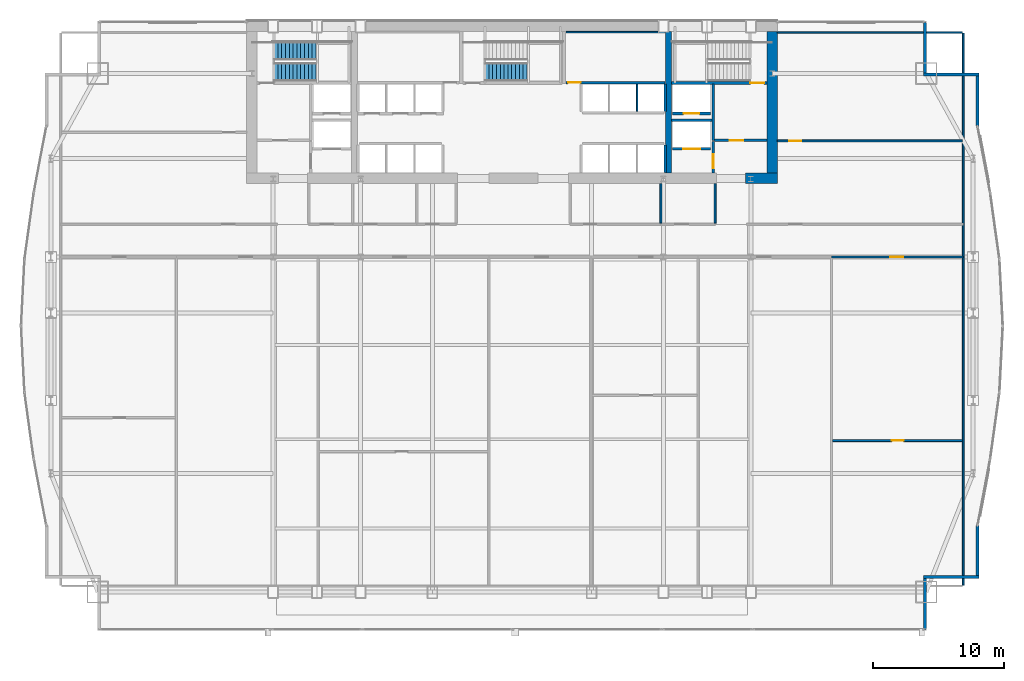
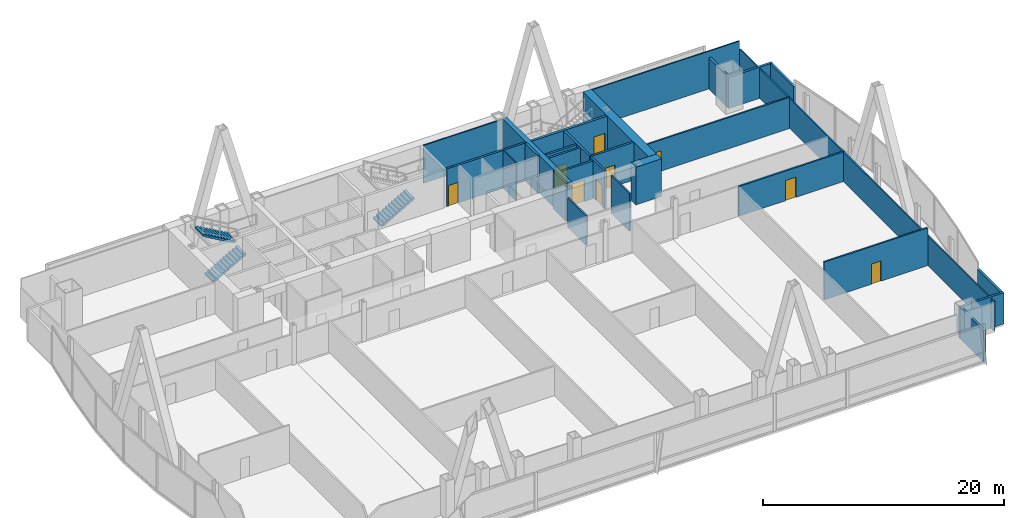
# One storey, part 33 of 37: 28 walls, 9 doors, 3 stair flights, 9 openings, 2 elements without a shape of their own.
"""IFC4 building model written with IfcOpenShell, lengths in metres."""

import ifcopenshell
import ifcopenshell.guid

model = None  # the IFC model being written
_history = None  # IfcOwnerHistory: only IFC2X3 demands one
_inside = {}  # id of a spatial element -> (the spatial element, [elements in it])
_under = {}  # id of a project, library or spatial element -> (it, [spatial elements below it])
_declared = {}  # id of a project -> (the project, [libraries it declares])
_typed = {}  # id of a type object -> (the type object, [elements of that type])
_made_of = {}  # id of a material, layer set ... -> (it, [elements and type objects made of it])


def new_model(schema):
    """Start an empty IFC model of exactly this schema.

    Asked for "IFC4X3", IfcOpenShell would pick the latest addendum, in which some entities
    have other attributes; the version numbers below select the first issue.
    IFC2X3 requires an IfcOwnerHistory on every rooted entity: one is made here for all.
    """
    global model, _history
    if schema == "IFC4X3":
        model = ifcopenshell.file(schema_version=(4, 3, 0, 0))
    else:
        model = ifcopenshell.file(schema=schema)
    _inside.clear()
    _under.clear()
    _declared.clear()
    _typed.clear()
    _made_of.clear()
    _history = None
    if model.schema == "IFC2X3":
        org = make("IfcOrganization", Name="unknown")
        user = make(
            "IfcPersonAndOrganization",
            ThePerson=make("IfcPerson", FamilyName="unknown"),
            TheOrganization=org,
        )
        app = make(
            "IfcApplication",
            ApplicationDeveloper=org,
            Version="unknown",
            ApplicationFullName="unknown",
            ApplicationIdentifier="unknown",
        )
        _history = make(
            "IfcOwnerHistory",
            OwningUser=user,
            OwningApplication=app,
            ChangeAction="ADDED",
            CreationDate=0,
        )
    return model


def make(cls, **values):
    """One entity of the class cls with the attributes given. An attribute that is None is left unset."""
    return model.create_entity(
        cls, **{name: value for name, value in values.items() if value is not None}
    )


def rooted(cls, **values):
    """An entity with a GlobalId (a new one), such as an element, a storey or a relation."""
    return make(cls, GlobalId=ifcopenshell.guid.new(), OwnerHistory=_history, **values)


def si_unit(unit_type, name, prefix=None):
    """IfcSIUnit, for example si_unit("LENGTHUNIT", "METRE", prefix="MILLI")."""
    return make("IfcSIUnit", UnitType=unit_type, Prefix=prefix, Name=name)


def assignment(units):
    """IfcUnitAssignment: the units of a project."""
    return None if units is None else make("IfcUnitAssignment", Units=units)


def point(xyz):
    """IfcCartesianPoint."""
    return None if xyz is None else make("IfcCartesianPoint", Coordinates=xyz)


def direction(xyz):
    """IfcDirection."""
    return None if xyz is None else make("IfcDirection", DirectionRatios=xyz)


def frame(location, z_axis=None, x_axis=None):
    """IfcAxis2Placement3D, a coordinate frame: its origin and axes. An axis left out is left unset."""
    return make(
        "IfcAxis2Placement3D",
        Location=point(location),
        Axis=direction(z_axis),
        RefDirection=direction(x_axis),
    )


def frame_2d(location, x_axis=None):
    """IfcAxis2Placement2D, a coordinate frame in the plane: its origin and x axis."""
    return make(
        "IfcAxis2Placement2D", Location=point(location), RefDirection=direction(x_axis)
    )


def origin():
    """The frame at (0, 0, 0) with its axes left unset."""
    return frame((0.0, 0.0, 0.0))


def place(relative_to, where):
    """IfcLocalPlacement: puts the frame where relative to a parent placement (None: the world)."""
    return make(
        "IfcLocalPlacement", PlacementRelTo=relative_to, RelativePlacement=where
    )


def context(
    kind, dimensions, precision=None, world=None, true_north=None, identifier=None
):
    """IfcGeometricRepresentationContext, for example the 3D "Model" context."""
    return make(
        "IfcGeometricRepresentationContext",
        ContextIdentifier=identifier,
        ContextType=kind,
        CoordinateSpaceDimension=dimensions,
        Precision=precision,
        WorldCoordinateSystem=world,
        TrueNorth=true_north,
    )


def subcontext(parent, identifier, kind, view, scale=None):
    """IfcGeometricRepresentationSubContext, for example "Body" below "Model"."""
    return make(
        "IfcGeometricRepresentationSubContext",
        ContextIdentifier=identifier,
        ContextType=kind,
        ParentContext=parent,
        TargetScale=scale,
        TargetView=view,
    )


def project(units=None, contexts=None):
    """IfcProject with its units and contexts."""
    return rooted(
        "IfcProject",
        Name="project",
        RepresentationContexts=contexts,
        UnitsInContext=assignment(units),
    )


def spatial(cls, under=None, at=None, **own):
    """A site, building, storey or space (cls), placed at a placement, below another one or the project."""
    s = rooted(cls, ObjectPlacement=at, **own)
    if under is not None:
        _under.setdefault(under.id(), (under, []))[1].append(s)
    return s


def polyline(points):
    """IfcPolyline through the points."""
    return make("IfcPolyline", Points=[point(p) for p in points])


def profile(cls, at=None, kind="AREA", **sizes):
    """A parametric profile (cls). Its sizes go by their IFC names, for example OverallWidth=200.0."""
    return make(cls, ProfileType=kind, Position=at, **sizes)


def rectangle(**sizes):
    """IfcRectangleProfileDef."""
    return profile("IfcRectangleProfileDef", **sizes)


def outline(outer, holes=None, kind="AREA"):
    """IfcArbitraryClosedProfileDef: a profile drawn as a closed curve; with holes, ...WithVoids."""
    if holes is None:
        return make("IfcArbitraryClosedProfileDef", ProfileType=kind, OuterCurve=outer)
    return make(
        "IfcArbitraryProfileDefWithVoids",
        ProfileType=kind,
        OuterCurve=outer,
        InnerCurves=holes,
    )


def extrude(swept, where, along, depth):
    """IfcExtrudedAreaSolid: the profile swept, set in the frame where, extruded along a direction by depth."""
    return make(
        "IfcExtrudedAreaSolid",
        SweptArea=swept,
        Position=where,
        ExtrudedDirection=direction(along),
        Depth=depth,
    )


def shape(context_of_items, identifier, shape_type, items):
    """IfcShapeRepresentation: the items that make up one representation, for example the "Body"."""
    return make(
        "IfcShapeRepresentation",
        ContextOfItems=context_of_items,
        RepresentationIdentifier=identifier,
        RepresentationType=shape_type,
        Items=items,
    )


def material(Name=None, Category=None):
    """IfcMaterial."""
    return make("IfcMaterial", Name=Name, Category=Category)


def layer(
    of_material, thickness, ventilated=None, Name=None, Category=None, Priority=None
):
    """IfcMaterialLayer: one layer of a wall or slab, of a material (None: an air gap)."""
    return make(
        "IfcMaterialLayer",
        Material=of_material,
        LayerThickness=thickness,
        IsVentilated=ventilated,
        Name=Name,
        Category=Category,
        Priority=Priority,
    )


def layer_set(layers, Name=None):
    """IfcMaterialLayerSet."""
    return make("IfcMaterialLayerSet", MaterialLayers=layers, LayerSetName=Name)


def made_of(thing, what):
    """Note that an element or type object is made of a material, layer set ...; save() writes the relation."""
    if what is not None:
        _made_of.setdefault(what.id(), (what, []))[1].append(thing)
    return thing


def type_object(cls, material=None, **own):
    """A type object (cls), such as IfcWallType, which elements share."""
    return made_of(rooted(cls, **own), material)


def element(
    cls,
    number,
    at=None,
    inside=None,
    cuts=None,
    type_object=None,
    material=None,
    context=None,
    identifier="Body",
    shape_type=None,
    held_by="IfcProductDefinitionShape",
    body=None,
    shapes=None,
    **own,
):
    """One element of the class cls, such as IfcWall. Its Tag is "e" and its number.

    at: its placement. inside: the storey or other place that contains it. cuts: it is an
    opening in that element (IfcRelVoidsElement). A single representation is given by context,
    identifier, shape_type and body (its items); several are given by shapes. held_by: the class
    of the entity that holds the representations. save() writes the other relations.
    """
    e = rooted(cls, Tag="e%d" % number, ObjectPlacement=at, **own)
    if body is not None:
        shapes = [shape(context, identifier, shape_type, body)]
    if shapes is not None:
        e.Representation = make(held_by, Representations=shapes)
    if inside is not None:
        _inside.setdefault(inside.id(), (inside, []))[1].append(e)
    if cuts is not None:
        rooted(
            "IfcRelVoidsElement", RelatingBuildingElement=cuts, RelatedOpeningElement=e
        )
    if type_object is not None:
        _typed.setdefault(type_object.id(), (type_object, []))[1].append(e)
    return made_of(e, material)


def fill(opening, filler):
    """IfcRelFillsElement: the door or window that sits in an opening."""
    return rooted(
        "IfcRelFillsElement",
        RelatingOpeningElement=opening,
        RelatedBuildingElement=filler,
    )


def aggregate(whole, parts):
    """IfcRelAggregates: a whole, such as a stair, and the parts it consists of."""
    return rooted("IfcRelAggregates", RelatingObject=whole, RelatedObjects=parts)


def save(model, path):
    """Write the relations noted so far, then the file.

    IfcRelAggregates (storeys below a building ...), IfcRelContainedInSpatialStructure (elements
    in a storey), IfcRelDefinesByType, IfcRelAssociatesMaterial and IfcRelDeclares: one each for
    every whole, place, type object, material and project.
    """
    for whole, parts in _under.values():
        aggregate(whole, parts)
    for where, things in _inside.values():
        rooted(
            "IfcRelContainedInSpatialStructure",
            RelatedElements=things,
            RelatingStructure=where,
        )
    for kind, things in _typed.values():
        rooted("IfcRelDefinesByType", RelatedObjects=things, RelatingType=kind)
    for what, things in _made_of.values():
        rooted("IfcRelAssociatesMaterial", RelatedObjects=things, RelatingMaterial=what)
    for by, libraries in _declared.values():
        rooted("IfcRelDeclares", RelatingContext=by, RelatedDefinitions=libraries)
    model.write(path)


model = new_model("IFC4")

# Units and contexts
model_context = context("Model", 3, precision=1e-05, world=origin(), true_north=direction((0.0, 1.0)))
body_context = subcontext(model_context, "Body", "Model", "MODEL_VIEW")
ifc_project = project(units=[si_unit("LENGTHUNIT", "METRE"), si_unit("AREAUNIT", "SQUARE_METRE"), si_unit("VOLUMEUNIT", "CUBIC_METRE"), si_unit("PLANEANGLEUNIT", "RADIAN"), si_unit("MASSUNIT", "GRAM", prefix="KILO")], contexts=[model_context])

# Site, building, storey
site_placement = place(None, origin())
site = spatial("IfcSite", under=ifc_project, at=site_placement, CompositionType="ELEMENT")
building_placement = place(site_placement, origin())
building = spatial("IfcBuilding", under=site, at=building_placement, Name="Khoronbel Lancet Exchange", CompositionType="ELEMENT")
storey_placement = place(building_placement, frame((0.0, 0.0, 61.800048828125)))
storey = spatial("IfcBuildingStorey", under=building, at=storey_placement, Name="L14", CompositionType="ELEMENT", Elevation=61.800048828125)

# Walls
ifc_material_1 = material(Name="Concrete C80/95", Category="concrete")
ifc_layer_1 = layer(ifc_material_1, 0.800048828125, Name="Concrete C80/95")
ifc_layer_set_1 = layer_set([ifc_layer_1], Name="Concrete C80/95")
wall_type_1 = type_object("IfcWallType", Name="WL-CW1", PredefinedType="SHEAR", material=ifc_layer_set_1)
wall_1_placement = place(storey_placement, frame((56.300048828125, 52.89990234375, 0.0), z_axis=(0.0, 0.0, 1.0), x_axis=(0.0, -1.0, 0.0)))
element("IfcWall", 1, at=wall_1_placement, inside=storey, type_object=wall_type_1, Name="Level L14 rear core east shear wall", PredefinedType="SHEAR", context=body_context, shape_type="SweptSolid", body=[
    extrude(rectangle(XDim=10.7998046875, YDim=0.800048828125, at=frame_2d((5.39990234375, 0.0))), origin(), (0.0, 0.0, 1.0), 3.820068359375),
])
wall_2_placement = place(storey_placement, frame((56.699951171875, 41.699951171875, 0.0), z_axis=(0.0, 0.0, 1.0), x_axis=(-1.0, 0.0, 0.0)))
element("IfcWall", 2, at=wall_2_placement, inside=storey, type_object=wall_type_1, Name="Level L14 rear core south shear wall pier P5", PredefinedType="SHEAR", context=body_context, shape_type="SweptSolid", body=[
    extrude(rectangle(XDim=2.449951171875, YDim=0.800048828125, at=frame_2d((1.22509765625, 0.0))), origin(), (0.0, 0.0, 1.0), 3.820068359375),
])
ifc_material_2 = material(Name="Precast concrete C40/50", Category="concrete")
ifc_layer_2 = layer(ifc_material_2, 0.25, Name="Precast concrete C40/50")
ifc_layer_set_2 = layer_set([ifc_layer_2], Name="Precast concrete C40/50")
wall_type_2 = type_object("IfcWallType", Name="WL-EXT250", PredefinedType="SOLIDWALL", material=ifc_layer_set_2)
wall_3_placement = place(storey_placement, frame((67.9599609375, 53.6298828125, 0.0), z_axis=(0.0, 0.0, 1.0), x_axis=(0.0, -1.0, 0.0)))
element("IfcWall", 3, at=wall_3_placement, inside=storey, type_object=wall_type_2, Name="Level L14 notched-corner limestone pier 14", PredefinedType="SOLIDWALL", context=body_context, shape_type="SweptSolid", body=[
    extrude(rectangle(XDim=3.909912109375, YDim=0.219970703125, at=frame_2d((1.955078125, 0.0))), origin(), (0.0, 0.0, 1.0), 3.159912109375),
])
wall_4_placement = place(storey_placement, frame((67.85009765625, 49.610107421875, 0.0), z_axis=(0.0, 0.0, 1.0), x_axis=(1.0, 0.0, 0.0)))
element("IfcWall", 4, at=wall_4_placement, inside=storey, type_object=wall_type_2, Name="Level L14 notched-corner limestone pier 15", PredefinedType="SOLIDWALL", context=body_context, shape_type="SweptSolid", body=[
    extrude(rectangle(XDim=4.219970703125, YDim=0.219970703125, at=frame_2d((2.10986328125, 0.0))), origin(), (0.0, 0.0, 1.0), 3.159912109375),
])
for number, where, z_axis, x_axis, name in (
    (5, (71.9599609375, 49.5, 0.0), (0.0, 0.0, 1.0), (0.0, -1.0, 0.0), "Level L14 notched-corner limestone pier 16"),
    (6, (71.9599609375, 15.228515625, 0.0), (0.0, 0.0, 1.0), (0.0, -1.0, 0.0), "Level L14 notched-corner limestone pier 23"),
):
    element("IfcWall", number, at=place(storey_placement, frame(where, z_axis=z_axis, x_axis=x_axis)), inside=storey, type_object=wall_type_2, Name=name, PredefinedType="SOLIDWALL", context=body_context, shape_type="SweptSolid", body=[
        extrude(rectangle(XDim=3.82861328125, YDim=0.219970703125, at=frame_2d((1.914306640625, 0.0))), origin(), (0.0, 0.0, 1.0), 3.159912109375),
    ])
wall_5_placement = place(storey_placement, frame((72.070068359375, 11.2900390625, 0.0), z_axis=(0.0, 0.0, 1.0), x_axis=(-1.0, 0.0, 0.0)))
element("IfcWall", 7, at=wall_5_placement, inside=storey, type_object=wall_type_2, Name="Level L14 notched-corner limestone pier 24", PredefinedType="SOLIDWALL", context=body_context, shape_type="SweptSolid", body=[
    extrude(rectangle(XDim=4.219970703125, YDim=0.219970703125, at=frame_2d((2.10986328125, 0.0))), origin(), (0.0, 0.0, 1.0), 3.159912109375),
])
wall_6_placement = place(storey_placement, frame((67.9599609375, 11.179931640625, 0.0), z_axis=(0.0, 0.0, 1.0), x_axis=(0.0, -1.0, 0.0)))
element("IfcWall", 8, at=wall_6_placement, inside=storey, type_object=wall_type_2, Name="Level L14 notched-corner limestone pier 25", PredefinedType="SOLIDWALL", context=body_context, shape_type="SweptSolid", body=[
    extrude(rectangle(XDim=3.909912109375, YDim=0.219970703125, at=frame_2d((1.955078125, 0.0))), origin(), (0.0, 0.0, 1.0), 3.159912109375),
])
ifc_material_3 = material(Name="Acoustic Metal-Stud & Mineral-Wool Gypsum Partition 120 mm", Category="gypsum")
ifc_layer_3 = layer(ifc_material_3, 0.1201171875, Name="Acoustic Metal-Stud & Mineral-Wool Gypsum Partition 120 mm")
ifc_layer_set_3 = layer_set([ifc_layer_3], Name="Acoustic Metal-Stud & Mineral-Wool Gypsum Partition 120 mm")
wall_type_3 = type_object("IfcWallType", Name="WL-PRT120", PredefinedType="PARTITIONING", material=ifc_layer_set_3)
wall_7_placement = place(storey_placement, frame((47.800048828125, 38.280029296875, 0.0), z_axis=(0.0, 0.0, 1.0), x_axis=(0.0, 1.0, 0.0)))
element("IfcWall", 9, at=wall_7_placement, inside=storey, type_object=wall_type_3, Name="Level L14 interior partition PW-NP-M", PredefinedType="PARTITIONING", context=body_context, shape_type="SweptSolid", body=[
    extrude(rectangle(XDim=3.02001953125, YDim=0.14990234375, at=frame_2d((1.510009765625, 0.0))), origin(), (0.0, 0.0, 1.0), 3.010009765625),
])
wall_8_placement = place(storey_placement, frame((51.949951171875, 38.280029296875, 0.0), z_axis=(0.0, 0.0, 1.0), x_axis=(0.0, 1.0, 0.0)))
element("IfcWall", 10, at=wall_8_placement, inside=storey, type_object=wall_type_3, Name="Level L14 interior partition PW-NP-1", PredefinedType="PARTITIONING", context=body_context, shape_type="SweptSolid", body=[
    extrude(rectangle(XDim=3.02001953125, YDim=0.14990234375, at=frame_2d((1.510009765625, 0.0))), origin(), (0.0, 0.0, 1.0), 3.820068359375),
])

# Wall, opening, door
wall_9_placement = place(storey_placement, frame((56.699951171875, 44.56005859375, 0.0), z_axis=(0.0, 0.0, 1.0), x_axis=(1.0, 0.0, 0.0)))
wall_9 = element("IfcWall", 11, at=wall_9_placement, inside=storey, type_object=wall_type_3, Name="Level L14 interior partition PW-NE-H", PredefinedType="PARTITIONING", context=body_context, shape_type="SweptSolid", body=[
    extrude(rectangle(XDim=14.10498046875, YDim=0.14990234375, at=frame_2d((7.052490234375, 0.0))), origin(), (0.0, 0.0, 1.0), 3.159912109375),
])
opening_1_placement = place(wall_9_placement, frame((0.89990234375, 0.0, 0.0)))
opening_1 = element("IfcOpeningElement", 12, at=opening_1_placement, cuts=wall_9, Name="Opening D5", PredefinedType="OPENING", context=body_context, shape_type="SweptSolid", body=[
    extrude(rectangle(XDim=0.89990234375, YDim=2.050048828125, at=frame_2d((0.449951171875, 1.02490234375))), frame((0.0, 0.0849609375, 0.0), z_axis=(0.0, -1.0, 0.0), x_axis=(1.0, 0.0, 0.0)), (0.0, 0.0, 1.0), 0.169921875),
])
ifc_material_4 = material(Name="Acoustic Timber Pantry & Support Door", Category="wood")
door_type_1 = type_object("IfcDoorType", Name="DR-D5", OperationType="NOTDEFINED", PredefinedType="DOOR", material=ifc_material_4)
door_1_placement = place(opening_1_placement, origin())
door_1 = element("IfcDoor", 13, at=door_1_placement, inside=storey, type_object=door_type_1, Name="NE north room door L14-1", OperationType="SINGLE_SWING_RIGHT", OverallHeight=2.050048828125, OverallWidth=0.89990234375, PredefinedType="DOOR", context=body_context, shape_type="SweptSolid", body=[
    extrude(rectangle(XDim=0.89990234375, YDim=2.050048828125, at=frame_2d((0.449951171875, 1.02490234375))), frame((0.0, 0.02490234375, 0.0), z_axis=(0.0, -1.0, 0.0), x_axis=(1.0, 0.0, 0.0)), (0.0, 0.0, 1.0), 0.050048828125),
])
fill(opening_1, door_1)

wall_10_placement = place(storey_placement, frame((60.902587890625, 21.691650390625, 0.0), z_axis=(0.0, 0.0, 1.0), x_axis=(1.0, 0.0, 0.0)))
wall_10 = element("IfcWall", 14, at=wall_10_placement, inside=storey, type_object=wall_type_3, Name="Level L14 interior partition PW-Z1S-H7", PredefinedType="PARTITIONING", context=body_context, shape_type="SweptSolid", body=[
    extrude(rectangle(XDim=9.90234375, YDim=0.14990234375, at=frame_2d((4.951171875, 0.0))), origin(), (0.0, 0.0, 1.0), 3.820068359375),
])
opening_2_placement = place(wall_10_placement, frame((4.521240234375, 0.0, 0.0)))
opening_2 = element("IfcOpeningElement", 15, at=opening_2_placement, cuts=wall_10, Name="Opening D5", PredefinedType="OPENING", context=body_context, shape_type="SweptSolid", body=[
    extrude(rectangle(XDim=0.89990234375, YDim=2.050048828125, at=frame_2d((0.449951171875, 1.02490234375))), frame((0.0, 0.0849609375, 0.0), z_axis=(0.0, -1.0, 0.0), x_axis=(1.0, 0.0, 0.0)), (0.0, 0.0, 1.0), 0.169921875),
])
door_2_placement = place(opening_2_placement, origin())
door_2 = element("IfcDoor", 16, at=door_2_placement, inside=storey, type_object=door_type_1, Name="Z1S inner door 7 L14-1", OperationType="SINGLE_SWING_LEFT", OverallHeight=2.050048828125, OverallWidth=0.89990234375, PredefinedType="DOOR", context=body_context, shape_type="SweptSolid", body=[
    extrude(rectangle(XDim=0.89990234375, YDim=2.050048828125, at=frame_2d((0.449951171875, 1.02490234375))), frame((0.0, 0.02490234375, 0.0), z_axis=(0.0, -1.0, 0.0), x_axis=(1.0, 0.0, 0.0)), (0.0, 0.0, 1.0), 0.050048828125),
])
fill(opening_2, door_2)

# Walls
wall_11_placement = place(storey_placement, frame((70.8701171875, 10.6650390625, 0.0), z_axis=(0.0, 0.0, 1.0), x_axis=(0.0, 1.0, 0.0)))
element("IfcWall", 17, at=wall_11_placement, inside=storey, type_object=wall_type_3, Name="Level L14 interior partition PW-LIN-E", PredefinedType="PARTITIONING", context=body_context, shape_type="SweptSolid", body=[
    extrude(rectangle(XDim=42.10986328125, YDim=0.1201171875, at=frame_2d((21.054931640625, 0.0))), origin(), (0.0, 0.0, 1.0), 3.010009765625),
])
wall_12_placement = place(storey_placement, frame((56.699951171875, 52.840087890625, 0.0), z_axis=(0.0, 0.0, 1.0), x_axis=(1.0, 0.0, 0.0)))
element("IfcWall", 18, at=wall_12_placement, inside=storey, type_object=wall_type_3, Name="Level L14 interior partition PW-LIN-NE", PredefinedType="PARTITIONING", context=body_context, shape_type="SweptSolid", body=[
    extrude(rectangle(XDim=14.10498046875, YDim=0.1201171875, at=frame_2d((7.052490234375, 0.0))), origin(), (0.0, 0.0, 1.0), 3.820068359375),
])
ifc_material_5 = material(Name="Fire-Rated Metal-Stud & Mineral-Wool Gypsum Partition 120 mm", Category="gypsum")
ifc_layer_4 = layer(ifc_material_5, 0.1201171875, Name="Fire-Rated Metal-Stud & Mineral-Wool Gypsum Partition 120 mm")
ifc_layer_set_4 = layer_set([ifc_layer_4], Name="Fire-Rated Metal-Stud & Mineral-Wool Gypsum Partition 120 mm")
wall_type_4 = type_object("IfcWallType", Name="WL-PRT120F", PredefinedType="PARTITIONING", material=ifc_layer_set_4)
wall_13_placement = place(storey_placement, frame((46.0, 46.804931640625, 0.0), z_axis=(0.0, 0.0, 1.0), x_axis=(0.0, 1.0, 0.0)))
element("IfcWall", 19, at=wall_13_placement, inside=storey, type_object=wall_type_4, Name="Level L14 interior partition CW-PH-D2", PredefinedType="PARTITIONING", context=body_context, shape_type="SweptSolid", body=[
    extrude(rectangle(XDim=2.090087890625, YDim=0.1201171875, at=frame_2d((1.044921875, 0.0))), origin(), (0.0, 0.0, 1.0), 3.820068359375),
])
wall_14_placement = place(storey_placement, frame((40.580078125, 52.860107421875, 0.0), z_axis=(0.0, 0.0, 1.0), x_axis=(1.0, 0.0, 0.0)))
element("IfcWall", 20, at=wall_14_placement, inside=storey, type_object=wall_type_4, Name="Level L14 interior partition CW-SUP-NE-N", PredefinedType="PARTITIONING", context=body_context, shape_type="SweptSolid", body=[
    extrude(rectangle(XDim=7.559814453125, YDim=0.1201171875, at=frame_2d((3.77978515625, 0.0))), origin(), (0.0, 0.0, 1.0), 3.820068359375),
])

# Wall, opening, door
ifc_material_6 = material(Name="Fire-Rated Twin-Stud Acoustic Gypsum Partition 160 mm", Category="gypsum")
ifc_layer_5 = layer(ifc_material_6, 0.159912109375, Name="Fire-Rated Twin-Stud Acoustic Gypsum Partition 160 mm")
ifc_layer_set_5 = layer_set([ifc_layer_5], Name="Fire-Rated Twin-Stud Acoustic Gypsum Partition 160 mm")
wall_type_5 = type_object("IfcWallType", Name="WL-PRT160C", PredefinedType="PARTITIONING", material=ifc_layer_set_5)
wall_15_placement = place(storey_placement, frame((60.822509765625, 35.699951171875, 0.0), z_axis=(0.0, 0.0, 1.0), x_axis=(1.0, 0.0, 0.0)))
wall_15 = element("IfcWall", 21, at=wall_15_placement, inside=storey, type_object=wall_type_5, Name="Level L14 interior partition PW-Z1S-COR7", PredefinedType="PARTITIONING", context=body_context, shape_type="SweptSolid", body=[
    extrude(rectangle(XDim=10.047607421875, YDim=0.159912109375, at=frame_2d((5.02392578125, 0.0))), origin(), (0.0, 0.0, 1.0), 3.010009765625),
])
opening_3_placement = place(wall_15_placement, frame((4.469970703125, 0.0, 0.0)))
opening_3 = element("IfcOpeningElement", 22, at=opening_3_placement, cuts=wall_15, Name="Opening D2", PredefinedType="OPENING", context=body_context, shape_type="SweptSolid", body=[
    extrude(rectangle(XDim=1.0, YDim=2.050048828125, at=frame_2d((0.5, 1.02490234375))), frame((0.0, 0.08984375, 0.0), z_axis=(0.0, -1.0, 0.0), x_axis=(1.0, 0.0, 0.0)), (0.0, 0.0, 1.0), 0.179931640625),
])
ifc_material_7 = material(Name="Acoustic Veneered Timber & Bronze Frame Door", Category="wood")
door_type_2 = type_object("IfcDoorType", Name="DR-D2", OperationType="NOTDEFINED", PredefinedType="DOOR", material=ifc_material_7)
door_3_placement = place(opening_3_placement, origin())
door_3 = element("IfcDoor", 23, at=door_3_placement, inside=storey, type_object=door_type_2, Name="Z1S bay 7 door L14-1", OperationType="SINGLE_SWING_RIGHT", OverallHeight=2.050048828125, OverallWidth=1.0, PredefinedType="DOOR", context=body_context, shape_type="SweptSolid", body=[
    extrude(rectangle(XDim=1.0, YDim=2.050048828125, at=frame_2d((0.5, 1.02490234375))), frame((0.0, 0.02490234375, 0.0), z_axis=(0.0, -1.0, 0.0), x_axis=(1.0, 0.0, 0.0)), (0.0, 0.0, 1.0), 0.050048828125),
])
fill(opening_3, door_3)

ifc_material_8 = material(Name="Autoclaved Aerated Concrete Blockwork 200 mm", Category="masonry")
ifc_layer_6 = layer(ifc_material_8, 0.199951171875, Name="Autoclaved Aerated Concrete Blockwork 200 mm")
ifc_layer_set_6 = layer_set([ifc_layer_6], Name="Autoclaved Aerated Concrete Blockwork 200 mm")
wall_type_6 = type_object("IfcWallType", Name="WL-PRT200", PredefinedType="PARTITIONING", material=ifc_layer_set_6)
wall_16_placement = place(storey_placement, frame((51.610107421875, 43.949951171875, 0.0), z_axis=(0.0, 0.0, 1.0), x_axis=(-1.0, 0.0, 0.0)))
wall_16 = element("IfcWall", 24, at=wall_16_placement, inside=storey, type_object=wall_type_6, Name="Level L14 elevator hoistway landing front wall SVLE", PredefinedType="PARTITIONING", context=body_context, shape_type="SweptSolid", body=[
    extrude(rectangle(XDim=2.920166015625, YDim=0.199951171875, at=frame_2d((1.4599609375, 0.0))), origin(), (0.0, 0.0, 1.0), 3.820068359375),
])
opening_4_placement = place(wall_16_placement, frame((0.81005859375, 0.0, 0.0)))
opening_4 = element("IfcOpeningElement", 25, at=opening_4_placement, cuts=wall_16, Name="Opening LD-SVL2", PredefinedType="OPENING", context=body_context, shape_type="SweptSolid", body=[
    extrude(rectangle(XDim=1.300048828125, YDim=2.179931640625, at=frame_2d((0.64990234375, 1.08984375))), frame((0.0, 0.10986328125, 0.0), z_axis=(0.0, -1.0, 0.0), x_axis=(1.0, 0.0, 0.0)), (0.0, 0.0, 1.0), 0.219970703125),
])
ifc_material_9 = material(Name="Heavy-Duty Bi-Parting Goods Lift Landing Door", Category="steel")
door_type_3 = type_object("IfcDoorType", Name="DR-LD-SVL", OperationType="NOTDEFINED", PredefinedType="DOOR", material=ifc_material_9)
door_4_placement = place(opening_4_placement, origin())
door_4 = element("IfcDoor", 26, at=door_4_placement, inside=storey, type_object=door_type_3, Name="Elevator landing sliding door LD-SVL2 L14", OperationType="SLIDING_TO_LEFT", OverallHeight=2.179931640625, OverallWidth=1.300048828125, PredefinedType="DOOR", context=body_context, shape_type="SweptSolid", body=[
    extrude(rectangle(XDim=1.300048828125, YDim=2.179931640625, at=frame_2d((0.64990234375, 1.08984375))), frame((0.0, 0.02490234375, 0.0), z_axis=(0.0, -1.0, 0.0), x_axis=(1.0, 0.0, 0.0)), (0.0, 0.0, 1.0), 0.050048828125),
])
fill(opening_4, door_4)

wall_17_placement = place(storey_placement, frame((51.610107421875, 46.64990234375, 0.0), z_axis=(0.0, 0.0, 1.0), x_axis=(-1.0, 0.0, 0.0)))
wall_17 = element("IfcWall", 27, at=wall_17_placement, inside=storey, type_object=wall_type_6, Name="Level L14 elevator hoistway landing front wall FFLE", PredefinedType="PARTITIONING", context=body_context, shape_type="SweptSolid", body=[
    extrude(rectangle(XDim=2.920166015625, YDim=0.199951171875, at=frame_2d((1.4599609375, 0.0))), origin(), (0.0, 0.0, 1.0), 3.820068359375),
])
opening_5_placement = place(wall_17_placement, frame((0.860107421875, 0.0, 0.0)))
opening_5 = element("IfcOpeningElement", 28, at=opening_5_placement, cuts=wall_17, Name="Opening LD-FFL2", PredefinedType="OPENING", context=body_context, shape_type="SweptSolid", body=[
    extrude(rectangle(XDim=1.199951171875, YDim=2.179931640625, at=frame_2d((0.60009765625, 1.08984375))), frame((0.0, 0.10986328125, 0.0), z_axis=(0.0, -1.0, 0.0), x_axis=(1.0, 0.0, 0.0)), (0.0, 0.0, 1.0), 0.219970703125),
])
ifc_material_10 = material(Name="Fire-Rated Stainless Bi-Parting Firefighting Lift Door", Category="steel")
door_type_4 = type_object("IfcDoorType", Name="DR-LD-FFL", OperationType="NOTDEFINED", PredefinedType="DOOR", material=ifc_material_10)
door_5_placement = place(opening_5_placement, origin())
door_5 = element("IfcDoor", 29, at=door_5_placement, inside=storey, type_object=door_type_4, Name="Elevator landing sliding door LD-FFL2 L14", OperationType="SLIDING_TO_LEFT", OverallHeight=2.179931640625, OverallWidth=1.199951171875, PredefinedType="DOOR", context=body_context, shape_type="SweptSolid", body=[
    extrude(rectangle(XDim=1.199951171875, YDim=2.179931640625, at=frame_2d((0.60009765625, 1.08984375))), frame((0.0, 0.02490234375, 0.0), z_axis=(0.0, -1.0, 0.0), x_axis=(1.0, 0.0, 0.0)), (0.0, 0.0, 1.0), 0.050048828125),
])
fill(opening_5, door_5)

# Wall
wall_18_placement = place(storey_placement, frame((51.800048828125, 44.60009765625, 0.0), z_axis=(0.0, 0.0, 1.0), x_axis=(0.0, 1.0, 0.0)))
element("IfcWall", 30, at=wall_18_placement, inside=storey, type_object=wall_type_6, Name="Level L14 interior partition CW-FFLE-W", PredefinedType="PARTITIONING", context=body_context, shape_type="SweptSolid", body=[
    extrude(rectangle(XDim=4.2998046875, YDim=0.199951171875, at=frame_2d((2.14990234375, 0.0))), origin(), (0.0, 0.0, 1.0), 3.820068359375),
])

# Wall, opening, door
wall_19_placement = place(storey_placement, frame((51.89990234375, 44.60009765625, 0.0), z_axis=(0.0, 0.0, 1.0), x_axis=(1.0, 0.0, 0.0)))
wall_19 = element("IfcWall", 31, at=wall_19_placement, inside=storey, type_object=wall_type_6, Name="Level L14 interior partition CW-FFLE-S", PredefinedType="PARTITIONING", context=body_context, shape_type="SweptSolid", body=[
    extrude(rectangle(XDim=4.0, YDim=0.199951171875, at=frame_2d((2.0, 0.0))), origin(), (0.0, 0.0, 1.0), 3.820068359375),
])
opening_6_placement = place(wall_19_placement, frame((1.14990234375, 0.0, 0.0)))
opening_6 = element("IfcOpeningElement", 32, at=opening_6_placement, cuts=wall_19, Name="Opening FD1", PredefinedType="OPENING", context=body_context, shape_type="SweptSolid", body=[
    extrude(rectangle(XDim=1.050048828125, YDim=2.14990234375, at=frame_2d((0.52490234375, 1.074951171875))), frame((0.0, 0.10986328125, 0.0), z_axis=(0.0, -1.0, 0.0), x_axis=(1.0, 0.0, 0.0)), (0.0, 0.0, 1.0), 0.219970703125),
])
ifc_material_11 = material(Name="Fire-Rated Painted Steel Door Assembly", Category="steel")
door_type_5 = type_object("IfcDoorType", Name="DR-FD1", OperationType="NOTDEFINED", PredefinedType="DOOR", material=ifc_material_11)
door_6_placement = place(opening_6_placement, origin())
door_6 = element("IfcDoor", 33, at=door_6_placement, inside=storey, type_object=door_type_5, Name="East firefighting lobby FD90S door L14-1", OperationType="SINGLE_SWING_RIGHT", OverallHeight=2.14990234375, OverallWidth=1.050048828125, PredefinedType="DOOR", context=body_context, shape_type="SweptSolid", body=[
    extrude(rectangle(XDim=1.050048828125, YDim=2.14990234375, at=frame_2d((0.52490234375, 1.074951171875))), frame((0.0, 0.02490234375, 0.0), z_axis=(0.0, -1.0, 0.0), x_axis=(1.0, 0.0, 0.0)), (0.0, 0.0, 1.0), 0.050048828125),
])
fill(opening_6, door_6)

# Wall
wall_20_placement = place(storey_placement, frame((48.6298828125, 46.1201171875, 0.0), z_axis=(0.0, 0.0, 1.0), x_axis=(1.0, 0.0, 0.0)))
element("IfcWall", 34, at=wall_20_placement, inside=storey, type_object=wall_type_6, Name="Level L14 interior partition CW-FFL2-S", PredefinedType="PARTITIONING", context=body_context, shape_type="SweptSolid", body=[
    extrude(rectangle(XDim=3.070068359375, YDim=0.199951171875, at=frame_2d((1.53515625, 0.0))), origin(), (0.0, 0.0, 1.0), 3.820068359375),
])

# Wall, opening, door
wall_21_placement = place(storey_placement, frame((51.800048828125, 42.10009765625, 0.0), z_axis=(0.0, 0.0, 1.0), x_axis=(0.0, 1.0, 0.0)))
wall_21 = element("IfcWall", 35, at=wall_21_placement, inside=storey, type_object=wall_type_6, Name="Level L14 interior partition CW-SVLE-E", PredefinedType="PARTITIONING", context=body_context, shape_type="SweptSolid", body=[
    extrude(rectangle(XDim=2.39501953125, YDim=0.199951171875, at=frame_2d((1.197509765625, 0.0))), origin(), (0.0, 0.0, 1.0), 3.820068359375),
])
opening_7_placement = place(wall_21_placement, frame((0.3798828125, 0.0, 0.0)))
opening_7 = element("IfcOpeningElement", 36, at=opening_7_placement, cuts=wall_21, Name="Opening FD1", PredefinedType="OPENING", context=body_context, shape_type="SweptSolid", body=[
    extrude(rectangle(XDim=1.050048828125, YDim=2.14990234375, at=frame_2d((0.52490234375, 1.074951171875))), frame((0.0, 0.10986328125, 0.0), z_axis=(0.0, -1.0, 0.0), x_axis=(1.0, 0.0, 0.0)), (0.0, 0.0, 1.0), 0.219970703125),
])
door_7_placement = place(opening_7_placement, origin())
door_7 = element("IfcDoor", 37, at=door_7_placement, inside=storey, type_object=door_type_5, Name="East service lift lobby door L14-1", OperationType="SINGLE_SWING_LEFT", OverallHeight=2.14990234375, OverallWidth=1.050048828125, PredefinedType="DOOR", context=body_context, shape_type="SweptSolid", body=[
    extrude(rectangle(XDim=1.050048828125, YDim=2.14990234375, at=frame_2d((0.52490234375, 1.074951171875))), frame((0.0, 0.02490234375, 0.0), z_axis=(0.0, -1.0, 0.0), x_axis=(1.0, 0.0, 0.0)), (0.0, 0.0, 1.0), 0.050048828125),
])
fill(opening_7, door_7)

# Walls
wall_22_placement = place(storey_placement, frame((48.139892578125, 46.804931640625, 0.0), z_axis=(0.0, 0.0, 1.0), x_axis=(0.0, 1.0, 0.0)))
element("IfcWall", 38, at=wall_22_placement, inside=storey, type_object=wall_type_6, Name="Level L14 interior partition CW-PH-E", PredefinedType="PARTITIONING", context=body_context, shape_type="SweptSolid", body=[
    extrude(rectangle(XDim=2.090087890625, YDim=0.199951171875, at=frame_2d((1.044921875, 0.0))), origin(), (0.0, 0.0, 1.0), 3.820068359375),
])
wall_23_placement = place(storey_placement, frame((48.139892578125, 42.14990234375, 0.0), z_axis=(0.0, 0.0, 1.0), x_axis=(0.0, 1.0, 0.0)))
element("IfcWall", 39, at=wall_23_placement, inside=storey, type_object=wall_type_6, Name="Level L14 interior partition CW-PX-E", PredefinedType="PARTITIONING", context=body_context, shape_type="SweptSolid", body=[
    extrude(rectangle(XDim=2.09521484375, YDim=0.199951171875, at=frame_2d((1.047607421875, 0.0))), origin(), (0.0, 0.0, 1.0), 3.820068359375),
])

# Wall, opening, door
wall_24_placement = place(storey_placement, frame((40.580078125, 49.0, 0.0), z_axis=(0.0, 0.0, 1.0), x_axis=(1.0, 0.0, 0.0)))
wall_24 = element("IfcWall", 40, at=wall_24_placement, inside=storey, type_object=wall_type_6, Name="Level L14 interior partition CW-SUP-NE-S", PredefinedType="PARTITIONING", context=body_context, shape_type="SweptSolid", body=[
    extrude(rectangle(XDim=7.559814453125, YDim=0.199951171875, at=frame_2d((3.77978515625, 0.0))), origin(), (0.0, 0.0, 1.0), 3.820068359375),
])
opening_8_placement = place(wall_24_placement, frame((0.159912109375, 0.0, 0.0)))
opening_8 = element("IfcOpeningElement", 41, at=opening_8_placement, cuts=wall_24, Name="Opening FD3", PredefinedType="OPENING", context=body_context, shape_type="SweptSolid", body=[
    extrude(rectangle(XDim=0.949951171875, YDim=2.10009765625, at=frame_2d((0.47509765625, 1.050048828125))), frame((0.0, 0.10986328125, 0.0), z_axis=(0.0, -1.0, 0.0), x_axis=(1.0, 0.0, 0.0)), (0.0, 0.0, 1.0), 0.219970703125),
])
ifc_material_12 = material(Name="Fire-Rated Steel Plant & Riser Door Assembly", Category="steel")
door_type_6 = type_object("IfcDoorType", Name="DR-FD3", OperationType="NOTDEFINED", PredefinedType="DOOR", material=ifc_material_12)
door_8_placement = place(opening_8_placement, origin())
door_8 = element("IfcDoor", 42, at=door_8_placement, inside=storey, type_object=door_type_6, Name="Core NE support room door L14-1", OperationType="SINGLE_SWING_LEFT", OverallHeight=2.10009765625, OverallWidth=0.949951171875, PredefinedType="DOOR", context=body_context, shape_type="SweptSolid", body=[
    extrude(rectangle(XDim=0.949951171875, YDim=2.10009765625, at=frame_2d((0.47509765625, 1.050048828125))), frame((0.0, 0.02490234375, 0.0), z_axis=(0.0, -1.0, 0.0), x_axis=(1.0, 0.0, 0.0)), (0.0, 0.0, 1.0), 0.050048828125),
])
fill(opening_8, door_8)

# Wall
ifc_layer_7 = layer(ifc_material_1, 0.449951171875, Name="Concrete C80/95")
ifc_layer_set_7 = layer_set([ifc_layer_7], Name="Concrete C80/95")
wall_type_7 = type_object("IfcWallType", Name="WL-SW1", PredefinedType="SHEAR", material=ifc_layer_set_7)
wall_25_placement = place(storey_placement, frame((48.39990234375, 42.10009765625, 0.0), z_axis=(0.0, 0.0, 1.0), x_axis=(0.0, 1.0, 0.0)))
element("IfcWall", 43, at=wall_25_placement, inside=storey, type_object=wall_type_7, Name="Level L14 rear core internal spine shear wall IE", PredefinedType="SHEAR", context=body_context, shape_type="SweptSolid", body=[
    extrude(rectangle(XDim=10.7998046875, YDim=0.449951171875, at=frame_2d((5.39990234375, 0.0))), origin(), (0.0, 0.0, 1.0), 3.820068359375),
])

# Wall, opening, door
ifc_material_13 = material(Name="Concrete C60/75", Category="concrete")
ifc_layer_8 = layer(ifc_material_13, 0.260009765625, Name="Concrete C60/75")
ifc_layer_set_8 = layer_set([ifc_layer_8], Name="Concrete C60/75")
wall_type_8 = type_object("IfcWallType", Name="WL-SW3", PredefinedType="SHEAR", material=ifc_layer_set_8)
wall_26_placement = place(storey_placement, frame((48.6298828125, 48.97998046875, 0.0), z_axis=(0.0, 0.0, 1.0), x_axis=(1.0, 0.0, 0.0)))
wall_26 = element("IfcWall", 44, at=wall_26_placement, inside=storey, type_object=wall_type_8, Name="Level L14 east stairwell structural south wall", PredefinedType="SHEAR", context=body_context, shape_type="SweptSolid", body=[
    extrude(rectangle(XDim=7.27001953125, YDim=0.239990234375, at=frame_2d((3.635009765625, 0.0))), origin(), (0.0, 0.0, 1.0), 3.820068359375),
])
opening_9_placement = place(wall_26_placement, frame((6.0, 0.0, 0.0)))
opening_9 = element("IfcOpeningElement", 45, at=opening_9_placement, cuts=wall_26, Name="Opening SD1", PredefinedType="OPENING", context=body_context, shape_type="SweptSolid", body=[
    extrude(rectangle(XDim=1.050048828125, YDim=2.14990234375, at=frame_2d((0.52490234375, 1.074951171875))), frame((0.0, 0.1298828125, 0.0), z_axis=(0.0, -1.0, 0.0), x_axis=(1.0, 0.0, 0.0)), (0.0, 0.0, 1.0), 0.260009765625),
])
ifc_material_14 = material(Name="Fire-Rated Steel Stairwell Door Assembly", Category="steel")
door_type_7 = type_object("IfcDoorType", Name="DR-SD1", OperationType="NOTDEFINED", PredefinedType="DOOR", material=ifc_material_14)
door_9_placement = place(opening_9_placement, origin())
door_9 = element("IfcDoor", 46, at=door_9_placement, inside=storey, type_object=door_type_7, Name="Protected exit stair ST2 door L14", OperationType="SINGLE_SWING_RIGHT", OverallHeight=2.14990234375, OverallWidth=1.050048828125, PredefinedType="DOOR", context=body_context, shape_type="SweptSolid", body=[
    extrude(rectangle(XDim=1.050048828125, YDim=2.14990234375, at=frame_2d((0.52490234375, 1.074951171875))), frame((0.0, 0.02490234375, 0.0), z_axis=(0.0, -1.0, 0.0), x_axis=(1.0, 0.0, 0.0)), (0.0, 0.0, 1.0), 0.050048828125),
])
fill(opening_9, door_9)

# Stair, stair flights
ifc_material_15 = material(Name="Concrete C40/50", Category="concrete")
stair_type = type_object("IfcStairType", Name="STR-CORE150", PredefinedType="HALF_TURN_STAIR", material=ifc_material_15)
stair_1_placement = place(storey_placement, origin())
stair_1 = element("IfcStair", 47, at=stair_1_placement, inside=storey, type_object=stair_type, Name="L14 Protected Exit Stair ST1", PredefinedType="HALF_TURN_STAIR")
stair_flight_type = type_object("IfcStairFlightType", Name="STF-150", PredefinedType="STRAIGHT", material=ifc_material_15)
stair_flight_1_placement = place(storey_placement, frame((18.300048828125, 49.81005859375, 0.0), z_axis=(0.0, 0.0, 1.0), x_axis=(1.0, 0.0, 0.0)))
stair_flight_1 = element("IfcStairFlight", 48, at=stair_flight_1_placement, type_object=stair_flight_type, Name="ST1 flight 1", NumberOfRisers=12, NumberOfTreads=11, PredefinedType="STRAIGHT", RiserHeight=0.166666667, TreadLength=0.29, context=body_context, shape_type="SweptSolid", body=[
    extrude(outline(polyline([(0.0, 0.0), (0.0, 0.166748046875), (0.2900390625, 0.166748046875), (0.2900390625, 0.333251953125), (0.580078125, 0.333251953125), (0.580078125, 0.5), (0.8701171875, 0.5), (0.8701171875, 0.666748046875), (1.159912109375, 0.666748046875), (1.159912109375, 0.833251953125), (1.449951171875, 0.833251953125), (1.449951171875, 1.0), (1.739990234375, 1.0), (1.739990234375, 1.166748046875), (2.030029296875, 1.166748046875), (2.030029296875, 1.333251953125), (2.320068359375, 1.333251953125), (2.320068359375, 1.5), (2.610107421875, 1.5), (2.610107421875, 1.666748046875), (2.89990234375, 1.666748046875), (2.89990234375, 1.833251953125), (3.18994140625, 1.833251953125), (3.18994140625, 2.0), (3.18994140625, 1.660400390625), (0.30078125, 0.0), (0.0, 0.0)])), frame((0.0, 0.68994140625, 0.0), z_axis=(0.0, -1.0, 0.0), x_axis=(1.0, 0.0, 0.0)), (0.0, 0.0, 1.0), 1.3798828125),
])
stair_flight_2_placement = place(storey_placement, frame((21.489990234375, 51.409912109375, 2.0), z_axis=(0.0, 0.0, 1.0), x_axis=(-1.0, 0.0, 0.0)))
stair_flight_2 = element("IfcStairFlight", 49, at=stair_flight_2_placement, type_object=stair_flight_type, Name="ST1 flight 2", NumberOfRisers=12, NumberOfTreads=11, PredefinedType="STRAIGHT", RiserHeight=0.166666667, TreadLength=0.29, context=body_context, shape_type="SweptSolid", body=[
    extrude(outline(polyline([(0.0, 0.0), (0.0, 0.166748046875), (0.2900390625, 0.166748046875), (0.2900390625, 0.333251953125), (0.580078125, 0.333251953125), (0.580078125, 0.5), (0.8701171875, 0.5), (0.8701171875, 0.666748046875), (1.159912109375, 0.666748046875), (1.159912109375, 0.833251953125), (1.449951171875, 0.833251953125), (1.449951171875, 1.0), (1.739990234375, 1.0), (1.739990234375, 1.166748046875), (2.030029296875, 1.166748046875), (2.030029296875, 1.333251953125), (2.320068359375, 1.333251953125), (2.320068359375, 1.5), (2.610107421875, 1.5), (2.610107421875, 1.666748046875), (2.89990234375, 1.666748046875), (2.89990234375, 1.833251953125), (3.18994140625, 1.833251953125), (3.18994140625, 2.0), (3.18994140625, 1.660400390625), (0.30078125, 0.0), (0.0, 0.0)])), frame((0.0, 0.68994140625, 0.0), z_axis=(0.0, -1.0, 0.0), x_axis=(1.0, 0.0, 0.0)), (0.0, 0.0, 1.0), 1.3798828125),
])
aggregate(stair_1, [stair_flight_1, stair_flight_2])

# Stair, stair flight
stair_2_placement = place(storey_placement, origin())
stair_2 = element("IfcStair", 50, at=stair_2_placement, inside=storey, type_object=stair_type, Name="L14 Protected Exit Stair ST3", PredefinedType="HALF_TURN_STAIR")
stair_flight_3_placement = place(storey_placement, frame((34.39990234375, 49.81005859375, 0.0), z_axis=(0.0, 0.0, 1.0), x_axis=(1.0, 0.0, 0.0)))
stair_flight_3 = element("IfcStairFlight", 51, at=stair_flight_3_placement, type_object=stair_flight_type, Name="ST3 flight 1", NumberOfRisers=12, NumberOfTreads=11, PredefinedType="STRAIGHT", RiserHeight=0.166666667, TreadLength=0.29, context=body_context, shape_type="SweptSolid", body=[
    extrude(outline(polyline([(0.0, 0.0), (0.0, 0.166748046875), (0.2900390625, 0.166748046875), (0.2900390625, 0.333251953125), (0.580078125, 0.333251953125), (0.580078125, 0.5), (0.8701171875, 0.5), (0.8701171875, 0.666748046875), (1.159912109375, 0.666748046875), (1.159912109375, 0.833251953125), (1.449951171875, 0.833251953125), (1.449951171875, 1.0), (1.739990234375, 1.0), (1.739990234375, 1.166748046875), (2.030029296875, 1.166748046875), (2.030029296875, 1.333251953125), (2.320068359375, 1.333251953125), (2.320068359375, 1.5), (2.610107421875, 1.5), (2.610107421875, 1.666748046875), (2.89990234375, 1.666748046875), (2.89990234375, 1.833251953125), (3.18994140625, 1.833251953125), (3.18994140625, 2.0), (3.18994140625, 1.660400390625), (0.30078125, 0.0), (0.0, 0.0)])), frame((0.0, 0.68994140625, 0.0), z_axis=(0.0, -1.0, 0.0), x_axis=(1.0, 0.0, 0.0)), (0.0, 0.0, 1.0), 1.3798828125),
])
aggregate(stair_2, [stair_flight_3])

save(model, "model.ifc")
